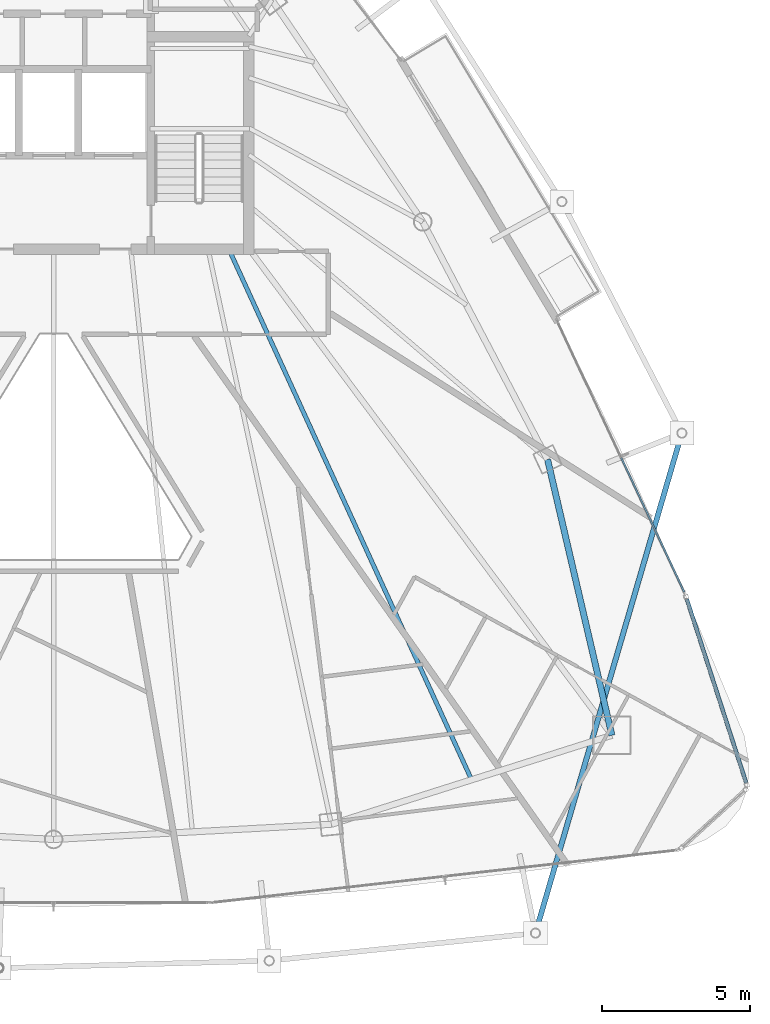
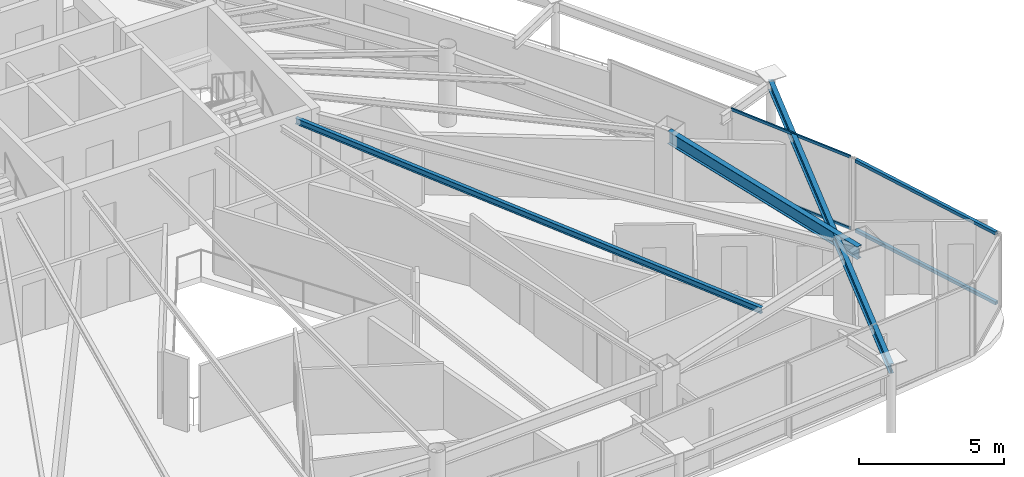
# One storey, part 17 of 33: 4 members, 3 beams, 2 elements without a shape of their own.
"""IFC4 building model written with IfcOpenShell, lengths in metres."""

from ifc_helpers import new_model, si_unit, direction, frame, origin, origin_2d, place, context, subcontext, project, spatial, hollow_rectangle, i_section, extrude, material, layer, layer_set, material_profile, profile_set, type_object, element, aggregate, save


model = new_model("IFC4")

# Units and contexts
model_context = context("Model", 3, precision=1e-05, world=origin(), true_north=direction((0.0, 1.0)))
body_context = subcontext(model_context, "Body", "Model", "MODEL_VIEW")
ifc_project = project(units=[si_unit("LENGTHUNIT", "METRE"), si_unit("AREAUNIT", "SQUARE_METRE"), si_unit("VOLUMEUNIT", "CUBIC_METRE"), si_unit("PLANEANGLEUNIT", "RADIAN"), si_unit("MASSUNIT", "GRAM", prefix="KILO")], contexts=[model_context])

# Site, building, storey
site_placement = place(None, origin())
site = spatial("IfcSite", under=ifc_project, at=site_placement, CompositionType="ELEMENT")
building_placement = place(site_placement, origin())
building = spatial("IfcBuilding", under=site, at=building_placement, Name="Orvanel Arch Residences", CompositionType="ELEMENT")
storey_placement = place(building_placement, frame((0.0, 0.0, 212.89990234375)))
storey = spatial("IfcBuildingStorey", under=building, at=storey_placement, Name="L60", CompositionType="ELEMENT", Elevation=212.89990234375)

# Beams
ifc_material_1 = material(Name="Structural steel AS/NZS 3679.1 Grade 300 (300 MPa)", Category="steel")
ifc_material_profile_1 = material_profile(ifc_material_1, i_section(OverallWidth=0.14599609375, OverallDepth=0.251953125, WebThickness=0.006103515625, FlangeThickness=0.008544921875, at=origin_2d()), Name="250UB31.4")
ifc_profile_set_1 = profile_set([ifc_material_profile_1], Name="Structural steel AS/NZS 3679.1 Grade 300 (300 MPa)")
beam_type_1 = type_object("IfcBeamType", Name="BJ-250UB", PredefinedType="JOIST", material=ifc_profile_set_1)
beam_1_placement = place(storey_placement, frame((38.89990234375, 26.72509765625, 2.93408203125), z_axis=(0.416009574066, -0.909360233508, 0.0), x_axis=(0.909360233508, 0.416009574066, 0.0)))
element("IfcBeam", 1, at=beam_1_placement, inside=storey, type_object=beam_type_1, Name="L60 JADD2 Wing Floor Joist", PredefinedType="JOIST", context=body_context, shape_type="SweptSolid", body=[
    extrude(i_section(OverallWidth=0.14599609375, OverallDepth=0.251953125, WebThickness=0.006103515625, FlangeThickness=0.008544921875, at=origin_2d()), origin(), (0.0, 0.0, 1.0), 19.653564453125),
])
ifc_material_profile_2 = material_profile(ifc_material_1, i_section(OverallWidth=0.177978515625, OverallDepth=0.406005859375, WebThickness=0.0078125, FlangeThickness=0.0126953125, at=origin_2d()), Name="410UB59.7")
ifc_profile_set_2 = profile_set([ifc_material_profile_2], Name="Structural steel AS/NZS 3679.1 Grade 300 (300 MPa)")
beam_type_2 = type_object("IfcBeamType", Name="OB-410UB-EXT", PredefinedType="SPANDREL", material=ifc_profile_set_2)
beam_2_placement = place(storey_placement, frame((49.22509765625, 3.68896484375, 2.857177734375), z_axis=(0.28109037373, 0.959681302202, 0.0), x_axis=(-0.959681302202, 0.28109037373, 0.0)))
element("IfcBeam", 2, at=beam_2_placement, inside=storey, type_object=beam_type_2, Name="L60 Outer Perimeter Floor Ring Beam 08", PredefinedType="SPANDREL", context=body_context, shape_type="SweptSolid", body=[
    extrude(i_section(OverallWidth=0.177978515625, OverallDepth=0.406005859375, WebThickness=0.0078125, FlangeThickness=0.0126953125, at=origin_2d()), origin(), (0.0, 0.0, 1.0), 17.545654296875),
])
ifc_material_profile_3 = material_profile(ifc_material_1, i_section(OverallWidth=0.208984375, OverallDepth=0.532958984375, WebThickness=0.01025390625, FlangeThickness=0.015625, at=origin_2d()), Name="530UB92.4")
ifc_profile_set_3 = profile_set([ifc_material_profile_3], Name="Structural steel AS/NZS 3679.1 Grade 300 (300 MPa)")
beam_type_3 = type_object("IfcBeamType", Name="SP-530UB", PredefinedType="SPANDREL", material=ifc_profile_set_3)
beam_3_placement = place(storey_placement, frame((51.801025390625, 10.35107421875, 2.794189453125), z_axis=(-0.227236087167, 0.973839699688, 0.0), x_axis=(-0.973839699688, -0.227236087167, 0.0)))
element("IfcBeam", 3, at=beam_3_placement, inside=storey, type_object=beam_type_3, Name="L60 Perimeter Spandrel Beam 06", PredefinedType="SPANDREL", context=body_context, shape_type="SweptSolid", body=[
    extrude(i_section(OverallWidth=0.208984375, OverallDepth=0.532958984375, WebThickness=0.01025390625, FlangeThickness=0.015625, at=origin_2d()), origin(), (0.0, 0.0, 1.0), 9.54052734375),
])

# Curtain wall, members
ifc_material_2 = material(Name="Bronze-anodised aluminium AA6063-T6", Category="aluminium")
ifc_layer_1 = layer(ifc_material_2, 0.175048828125)
ifc_layer_set_1 = layer_set([ifc_layer_1], Name="Bronze-anodised aluminium AA6063-T6")
curtain_wall_type_1 = type_object("IfcCurtainWallType", Name="CW4-HI-SYS", PredefinedType="NOTDEFINED", material=ifc_layer_set_1)
curtain_wall_1_placement = place(storey_placement, origin())
curtain_wall_1 = element("IfcCurtainWall", 4, at=curtain_wall_1_placement, inside=storey, type_object=curtain_wall_type_1, Name="L60 CW4-HI-SYS Unitised Curtain Wall", PredefinedType="NOTDEFINED")
ifc_material_profile_4 = material_profile(ifc_material_2, hollow_rectangle(XDim=0.06005859375, YDim=0.1201171875, WallThickness=0.00341796875, at=origin_2d()), Name="ALU120x60x3.5")
ifc_profile_set_4 = profile_set([ifc_material_profile_4], Name="Bronze-anodised aluminium AA6063-T6")
member_type_1 = type_object("IfcMemberType", Name="TRN-120x60", PredefinedType="USERDEFINED", material=ifc_profile_set_4)
member_1_placement = place(storey_placement, frame((54.236328125, 15.1728515625, 0.030029296875), z_axis=(-0.424342503337, 0.90550176138, 0.0), x_axis=(-0.90550176138, -0.424342503337, 0.0)))
member_1 = element("IfcMember", 5, at=member_1_placement, type_object=member_type_1, Name="CW-S4 transom 1.1", ObjectType="TRANSOM", PredefinedType="USERDEFINED", context=body_context, shape_type="SweptSolid", body=[
    extrude(hollow_rectangle(XDim=0.06005859375, YDim=0.1201171875, WallThickness=0.00341796875, at=origin_2d()), origin(), (0.0, 0.0, 1.0), 4.997314453125),
])
member_2_placement = place(storey_placement, frame((54.236328125, 15.1728515625, 3.030029296875), z_axis=(-0.424342503337, 0.90550176138, 0.0), x_axis=(-0.90550176138, -0.424342503337, 0.0)))
member_2 = element("IfcMember", 6, at=member_2_placement, type_object=member_type_1, Name="CW-S4 transom 1.2", ObjectType="TRANSOM", PredefinedType="USERDEFINED", context=body_context, shape_type="SweptSolid", body=[
    extrude(hollow_rectangle(XDim=0.06005859375, YDim=0.1201171875, WallThickness=0.00341796875, at=origin_2d()), origin(), (0.0, 0.0, 1.0), 4.997314453125),
])
aggregate(curtain_wall_1, [member_1, member_2])

ifc_layer_2 = layer(ifc_material_2, 0.18994140625)
ifc_layer_set_2 = layer_set([ifc_layer_2], Name="Bronze-anodised aluminium AA6063-T6")
curtain_wall_type_2 = type_object("IfcCurtainWallType", Name="CW5-CRN-SYS", PredefinedType="NOTDEFINED", material=ifc_layer_set_2)
curtain_wall_2_placement = place(storey_placement, origin())
curtain_wall_2 = element("IfcCurtainWall", 7, at=curtain_wall_2_placement, inside=storey, type_object=curtain_wall_type_2, Name="L60 CW5-CRN-SYS Unitised Curtain Wall", PredefinedType="NOTDEFINED")
ifc_material_profile_5 = material_profile(ifc_material_2, hollow_rectangle(XDim=0.1298828125, YDim=0.1298828125, WallThickness=0.00439453125, at=origin_2d()), Name="ALU130x130x4.5")
ifc_profile_set_5 = profile_set([ifc_material_profile_5], Name="Bronze-anodised aluminium AA6063-T6")
member_type_2 = type_object("IfcMemberType", Name="TRN-130x130", PredefinedType="USERDEFINED", material=ifc_profile_set_5)
member_3_placement = place(storey_placement, frame((56.323974609375, 8.745849609375, 0.065185546875), z_axis=(-0.307486437879, 0.951552463357, 0.0), x_axis=(-0.951552463357, -0.307486437879, 0.0)))
member_3 = element("IfcMember", 8, at=member_3_placement, type_object=member_type_2, Name="CW-S5 transom 1.1", ObjectType="TRANSOM", PredefinedType="USERDEFINED", context=body_context, shape_type="SweptSolid", body=[
    extrude(hollow_rectangle(XDim=0.1298828125, YDim=0.1298828125, WallThickness=0.00439453125, at=origin_2d()), origin(), (0.0, 0.0, 1.0), 6.503662109375),
])
member_4_placement = place(storey_placement, frame((56.323974609375, 8.745849609375, 2.9951171875), z_axis=(-0.307486437879, 0.951552463357, 0.0), x_axis=(-0.951552463357, -0.307486437879, 0.0)))
member_4 = element("IfcMember", 9, at=member_4_placement, type_object=member_type_2, Name="CW-S5 transom 1.2", ObjectType="TRANSOM", PredefinedType="USERDEFINED", context=body_context, shape_type="SweptSolid", body=[
    extrude(hollow_rectangle(XDim=0.1298828125, YDim=0.1298828125, WallThickness=0.00439453125, at=origin_2d()), origin(), (0.0, 0.0, 1.0), 6.503662109375),
])
aggregate(curtain_wall_2, [member_3, member_4])

save(model, "model.ifc")
